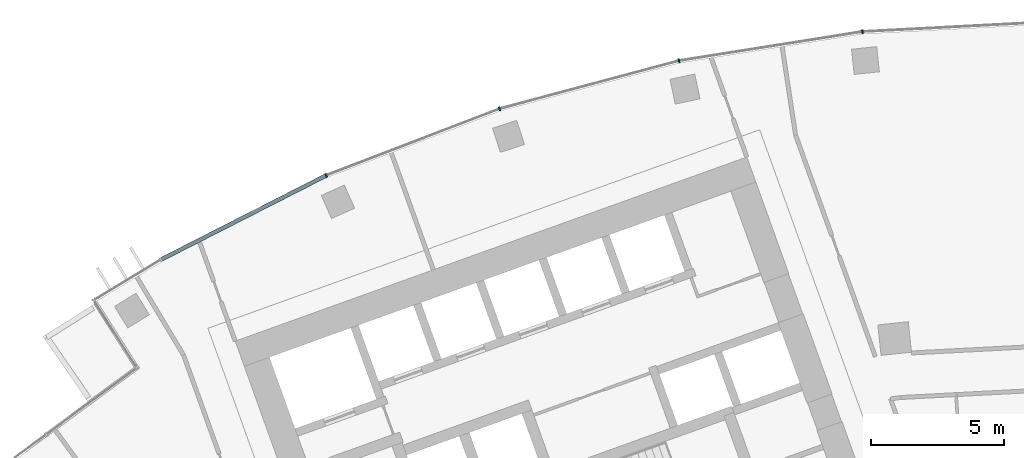
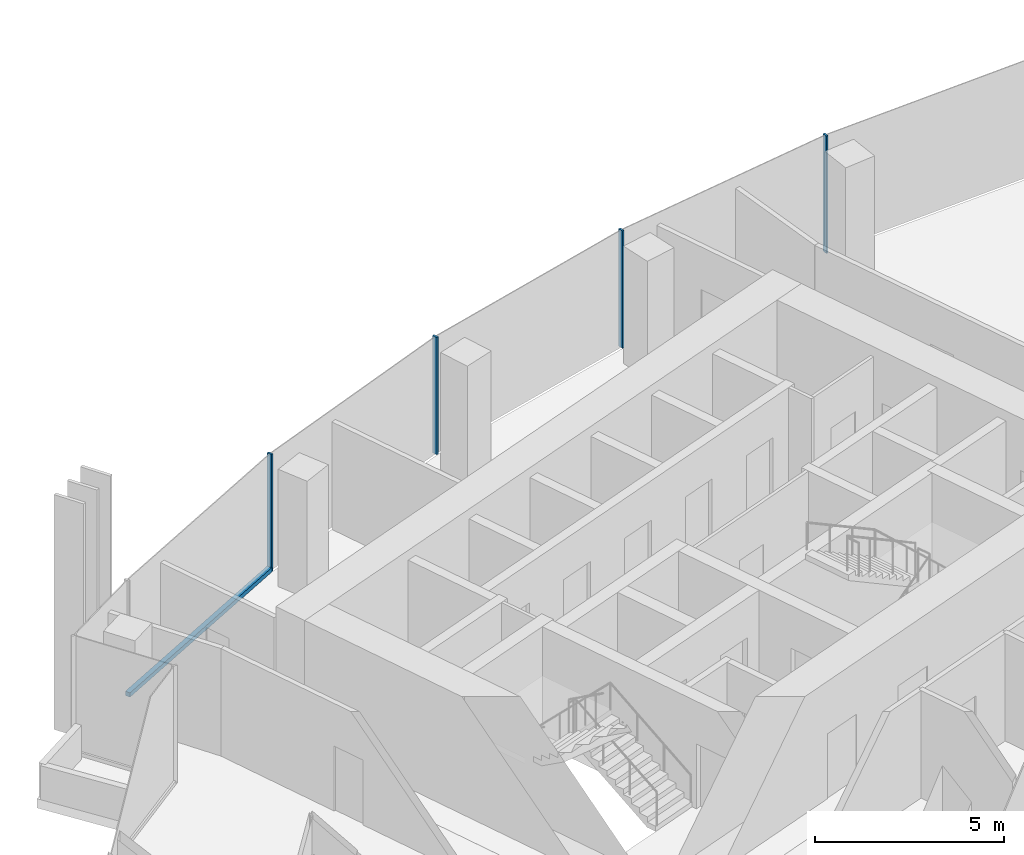
# One storey, part 5 of 18: 5 members, 1 element without a shape of its own.
"""IFC4 building model written with IfcOpenShell, lengths in metres."""

from ifc_helpers import new_model, si_unit, direction, frame, origin, origin_2d, place, context, subcontext, project, spatial, rectangle, extrude, material, layer, layer_set, material_profile, profile_set, type_object, element, aggregate, save


model = new_model("IFC4")

# Units and contexts
model_context = context("Model", 3, precision=1e-05, world=origin(), true_north=direction((0.0, 1.0)))
body_context = subcontext(model_context, "Body", "Model", "MODEL_VIEW")
ifc_project = project(units=[si_unit("LENGTHUNIT", "METRE"), si_unit("AREAUNIT", "SQUARE_METRE"), si_unit("VOLUMEUNIT", "CUBIC_METRE"), si_unit("PLANEANGLEUNIT", "RADIAN"), si_unit("MASSUNIT", "GRAM", prefix="KILO")], contexts=[model_context])

# Site, building, storey
site_placement = place(None, origin())
site = spatial("IfcSite", under=ifc_project, at=site_placement, CompositionType="ELEMENT")
building_placement = place(site_placement, origin())
building = spatial("IfcBuilding", under=site, at=building_placement, Name="Stone Belt Terrace Tower", CompositionType="ELEMENT")
storey_placement = place(building_placement, frame((0.0, 0.0, 239.0)))
storey = spatial("IfcBuildingStorey", under=building, at=storey_placement, Name="L58", CompositionType="ELEMENT", Elevation=239.0)

# Curtain wall, members
ifc_material = material(Name="Aluminium 6063-T6 anodised frame", Category="aluminium")
ifc_layer = layer(ifc_material, 0.14990234375)
ifc_layer_set = layer_set([ifc_layer], Name="CW-A unitised convex-face curtain wall")
curtain_wall_type = type_object("IfcCurtainWallType", Name="CW-A unitised convex-face curtain wall", PredefinedType="NOTDEFINED", material=ifc_layer_set)
curtain_wall_placement = place(storey_placement, origin())
curtain_wall = element("IfcCurtainWall", 1, at=curtain_wall_placement, inside=storey, type_object=curtain_wall_type, Name="CW-A convex face L58", PredefinedType="NOTDEFINED")
ifc_material_profile_1 = material_profile(ifc_material, rectangle(XDim=0.14990234375, YDim=0.06005859375, at=origin_2d()), Name="Aluminium 6063-T6 60x150")
ifc_profile_set_1 = profile_set([ifc_material_profile_1], Name="Aluminium 6063-T6 anodised frame")
member_type_1 = type_object("IfcMemberType", Name="CW-A mullion 60 x 150", PredefinedType="MULLION", material=ifc_profile_set_1)
member_1_placement = place(storey_placement, frame((-6.958984375, 66.21044921875, 0.0), z_axis=(0.0, 0.0, 1.0), x_axis=(0.104528463268, -0.994521895368, 0.0)))
member_1 = element("IfcMember", 2, at=member_1_placement, type_object=member_type_1, Name="CW-A mullion 10", PredefinedType="MULLION", context=body_context, shape_type="SweptSolid", body=[
    extrude(rectangle(XDim=0.14990234375, YDim=0.06005859375, at=origin_2d()), origin(), (0.0, 0.0, 1.0), 3.800048828125),
])
member_2_placement = place(storey_placement, frame((-13.841796875, 65.120361328125, 0.0), z_axis=(0.0, 0.0, 1.0), x_axis=(0.207911690818, -0.978147600734, 0.0)))
member_2 = element("IfcMember", 3, at=member_2_placement, type_object=member_type_1, Name="CW-A mullion 11", PredefinedType="MULLION", context=body_context, shape_type="SweptSolid", body=[
    extrude(rectangle(XDim=0.14990234375, YDim=0.06005859375, at=origin_2d()), origin(), (0.0, 0.0, 1.0), 3.800048828125),
])
member_3_placement = place(storey_placement, frame((-20.57275390625, 63.316650390625, 0.0), z_axis=(0.0, 0.0, 1.0), x_axis=(0.309016994375, -0.951056516295, 0.0)))
member_3 = element("IfcMember", 4, at=member_3_placement, type_object=member_type_1, Name="CW-A mullion 12", PredefinedType="MULLION", context=body_context, shape_type="SweptSolid", body=[
    extrude(rectangle(XDim=0.14990234375, YDim=0.06005859375, at=origin_2d()), origin(), (0.0, 0.0, 1.0), 3.800048828125),
])
member_4_placement = place(storey_placement, frame((-27.07861328125, 60.8193359375, 0.0), z_axis=(0.0, 0.0, 1.0), x_axis=(0.406736643076, -0.913545457643, 0.0)))
member_4 = element("IfcMember", 5, at=member_4_placement, type_object=member_type_1, Name="CW-A mullion 13", PredefinedType="MULLION", context=body_context, shape_type="SweptSolid", body=[
    extrude(rectangle(XDim=0.14990234375, YDim=0.06005859375, at=origin_2d()), origin(), (0.0, 0.0, 1.0), 3.800048828125),
])
ifc_material_profile_2 = material_profile(ifc_material, rectangle(XDim=0.14990234375, YDim=0.139892578125, at=origin_2d()), Name="Aluminium 6063-T6 150x140")
ifc_profile_set_2 = profile_set([ifc_material_profile_2], Name="Aluminium 6063-T6 anodised frame")
member_type_2 = type_object("IfcMemberType", Name="CW-A transom 140 x 150", PredefinedType="USERDEFINED", material=ifc_profile_set_2)
member_5_placement = place(storey_placement, frame((-27.108642578125, 60.803955078125, 0.070068359375), z_axis=(-0.891012226264, -0.453979308613, 0.0), x_axis=(0.453979308613, -0.891012226264, 0.0)))
member_5 = element("IfcMember", 6, at=member_5_placement, type_object=member_type_2, Name="CW-A transom 13.1", ObjectType="TRANSOM", PredefinedType="USERDEFINED", context=body_context, shape_type="SweptSolid", body=[
    extrude(rectangle(XDim=0.14990234375, YDim=0.139892578125, at=origin_2d()), origin(), (0.0, 0.0, 1.0), 6.90087890625),
])
aggregate(curtain_wall, [member_1, member_2, member_3, member_4, member_5])

save(model, "model.ifc")
